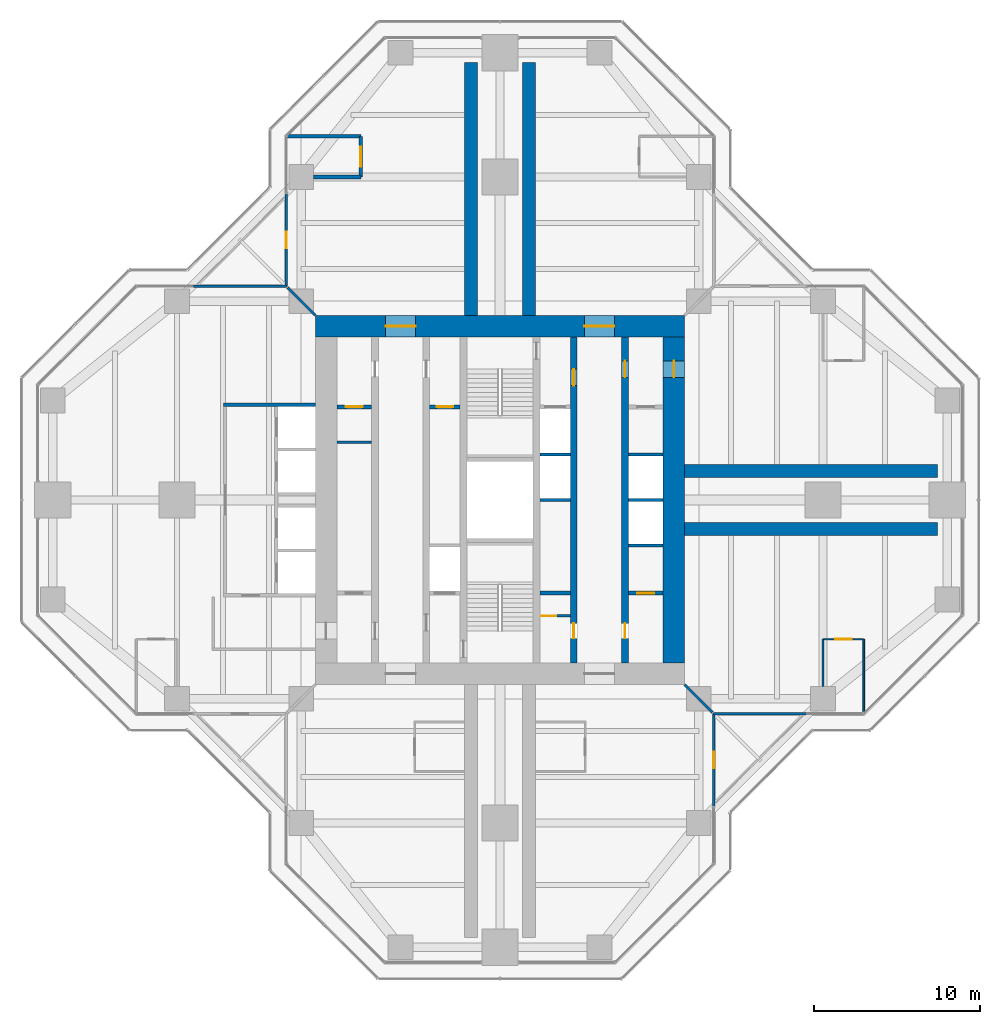
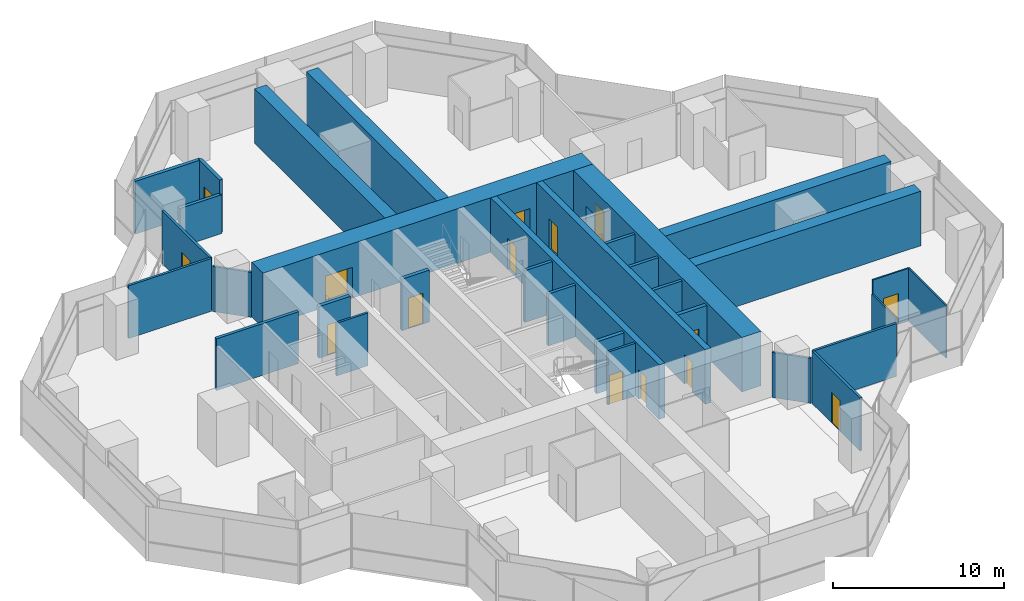
# One storey, part 14 of 17: 32 walls, 15 doors, 15 openings.
"""IFC4 building model written with IfcOpenShell, lengths in metres."""

from ifc_helpers import new_model, si_unit, direction, frame, frame_2d, origin, place, context, subcontext, project, spatial, rectangle, extrude, material, layer, layer_set, type_object, element, fill, save


model = new_model("IFC4")

# Units and contexts
model_context = context("Model", 3, precision=1e-05, world=origin(), true_north=direction((0.0, 1.0)))
body_context = subcontext(model_context, "Body", "Model", "MODEL_VIEW")
ifc_project = project(units=[si_unit("LENGTHUNIT", "METRE"), si_unit("AREAUNIT", "SQUARE_METRE"), si_unit("VOLUMEUNIT", "CUBIC_METRE"), si_unit("PLANEANGLEUNIT", "RADIAN"), si_unit("MASSUNIT", "GRAM", prefix="KILO")], contexts=[model_context])

# Site, building, storey
site_placement = place(None, origin())
site = spatial("IfcSite", under=ifc_project, at=site_placement, CompositionType="ELEMENT")
building_placement = place(site_placement, origin())
building = spatial("IfcBuilding", under=site, at=building_placement, Name="Mizan Broadcast Tower", CompositionType="ELEMENT")
storey_placement = place(building_placement, frame((0.0, 0.0, 251.699951171875)))
storey = spatial("IfcBuildingStorey", under=building, at=storey_placement, Name="L59", CompositionType="ELEMENT", Elevation=251.699951171875)

# Wall, openings, doors
ifc_material_1 = material(Name="Concrete C70/85", Category="concrete")
ifc_layer_1 = layer(ifc_material_1, 0.39990234375)
ifc_layer_set_1 = layer_set([ifc_layer_1], Name="Concrete C70/85")
wall_type_1 = type_object("IfcWallType", Name="CORE INTERNAL WALL 400", PredefinedType="SHEAR", material=ifc_layer_set_1)
wall_1_placement = place(storey_placement, frame((7.550048828125, 9.85009765625, 0.0), z_axis=(0.0, 0.0, 1.0), x_axis=(0.0, -1.0, 0.0)))
wall_1 = element("IfcWall", 1, at=wall_1_placement, inside=storey, type_object=wall_type_1, Name="Core wall CORE/XW1E", PredefinedType="SHEAR", context=body_context, shape_type="SweptSolid", body=[
    extrude(rectangle(XDim=19.7001953125, YDim=0.39990234375, at=frame_2d((9.85009765625, 0.0))), origin(), (0.0, 0.0, 1.0), 3.900146484375),
])
opening_1_placement = place(wall_1_placement, frame((1.449951171875, 0.0, 0.0)))
opening_1 = element("IfcOpeningElement", 2, at=opening_1_placement, cuts=wall_1, Name="Opening D10F", PredefinedType="OPENING", context=body_context, shape_type="SweptSolid", body=[
    extrude(rectangle(XDim=1.0, YDim=2.199951171875, at=frame_2d((0.5, 1.10009765625))), frame((0.0, 0.2099609375, 0.0), z_axis=(0.0, -1.0, 0.0), x_axis=(1.0, 0.0, 0.0)), (0.0, 0.0, 1.0), 0.419921875),
])
opening_2_placement = place(wall_1_placement, frame((17.300048828125, 0.0, 0.0)))
opening_2 = element("IfcOpeningElement", 3, at=opening_2_placement, cuts=wall_1, Name="Opening D09", PredefinedType="OPENING", context=body_context, shape_type="SweptSolid", body=[
    extrude(rectangle(XDim=0.89990234375, YDim=2.10009765625, at=frame_2d((0.449951171875, 1.050048828125))), frame((0.0, 0.2099609375, 0.0), z_axis=(0.0, -1.0, 0.0), x_axis=(1.0, 0.0, 0.0)), (0.0, 0.0, 1.0), 0.419921875),
])
ifc_material_2 = material(Name="Steel door leaf in steel frame", Category="steel")
door_type_1 = type_object("IfcDoorType", Name="FIRE DOOR 1000 FD90", OperationType="SINGLE_SWING_LEFT", PredefinedType="DOOR", material=ifc_material_2)
door_1_placement = place(opening_1_placement, origin())
door_1 = element("IfcDoor", 4, at=door_1_placement, inside=storey, type_object=door_type_1, Name="East core passage door", OperationType="SINGLE_SWING_LEFT", OverallHeight=2.199951171875, OverallWidth=1.0, PredefinedType="DOOR", context=body_context, shape_type="SweptSolid", body=[
    extrude(rectangle(XDim=1.0, YDim=2.199951171875, at=frame_2d((0.5, 1.10009765625))), frame((0.0, 0.02490234375, 0.0), z_axis=(0.0, -1.0, 0.0), x_axis=(1.0, 0.0, 0.0)), (0.0, 0.0, 1.0), 0.050048828125),
])
fill(opening_1, door_1)
ifc_material_3 = material(Name="Timber door leaf in aluminium frame", Category="wood")
door_type_2 = type_object("IfcDoorType", Name="TOILET DOOR 900", OperationType="SINGLE_SWING_LEFT", PredefinedType="DOOR", material=ifc_material_3)
door_2_placement = place(opening_2_placement, origin())
door_2 = element("IfcDoor", 5, at=door_2_placement, inside=storey, type_object=door_type_2, Name="Female WC door", OperationType="SINGLE_SWING_RIGHT", OverallHeight=2.10009765625, OverallWidth=0.89990234375, PredefinedType="DOOR", context=body_context, shape_type="SweptSolid", body=[
    extrude(rectangle(XDim=0.89990234375, YDim=2.10009765625, at=frame_2d((0.449951171875, 1.050048828125))), frame((0.0, 0.02490234375, 0.0), z_axis=(0.0, -1.0, 0.0), x_axis=(1.0, 0.0, 0.0)), (0.0, 0.0, 1.0), 0.050048828125),
])
fill(opening_2, door_2)

wall_2_placement = place(storey_placement, frame((4.449951171875, 9.85009765625, 0.0), z_axis=(0.0, 0.0, 1.0), x_axis=(0.0, -1.0, 0.0)))
wall_2 = element("IfcWall", 6, at=wall_2_placement, inside=storey, type_object=wall_type_1, Name="Core wall CORE/XWHE", PredefinedType="SHEAR", context=body_context, shape_type="SweptSolid", body=[
    extrude(rectangle(XDim=19.7001953125, YDim=0.39990234375, at=frame_2d((9.85009765625, 0.0))), origin(), (0.0, 0.0, 1.0), 3.900146484375),
])
opening_3_placement = place(wall_2_placement, frame((1.949951171875, 0.0, 0.0)))
opening_3 = element("IfcOpeningElement", 7, at=opening_3_placement, cuts=wall_2, Name="Opening D10F", PredefinedType="OPENING", context=body_context, shape_type="SweptSolid", body=[
    extrude(rectangle(XDim=1.0, YDim=2.199951171875, at=frame_2d((0.5, 1.10009765625))), frame((0.0, 0.2099609375, 0.0), z_axis=(0.0, -1.0, 0.0), x_axis=(1.0, 0.0, 0.0)), (0.0, 0.0, 1.0), 0.419921875),
])
opening_4_placement = place(wall_2_placement, frame((17.300048828125, 0.0, 0.0)))
opening_4 = element("IfcOpeningElement", 8, at=opening_4_placement, cuts=wall_2, Name="Opening D09", PredefinedType="OPENING", context=body_context, shape_type="SweptSolid", body=[
    extrude(rectangle(XDim=0.89990234375, YDim=2.10009765625, at=frame_2d((0.449951171875, 1.050048828125))), frame((0.0, 0.2099609375, 0.0), z_axis=(0.0, -1.0, 0.0), x_axis=(1.0, 0.0, 0.0)), (0.0, 0.0, 1.0), 0.419921875),
])
door_3_placement = place(opening_3_placement, origin())
door_3 = element("IfcDoor", 9, at=door_3_placement, inside=storey, type_object=door_type_1, Name="Firefighting lobby B door", OperationType="SINGLE_SWING_LEFT", OverallHeight=2.199951171875, OverallWidth=1.0, PredefinedType="DOOR", context=body_context, shape_type="SweptSolid", body=[
    extrude(rectangle(XDim=1.0, YDim=2.199951171875, at=frame_2d((0.5, 1.10009765625))), frame((0.0, 0.02490234375, 0.0), z_axis=(0.0, -1.0, 0.0), x_axis=(1.0, 0.0, 0.0)), (0.0, 0.0, 1.0), 0.050048828125),
])
fill(opening_3, door_3)
door_4_placement = place(opening_4_placement, origin())
door_4 = element("IfcDoor", 10, at=door_4_placement, inside=storey, type_object=door_type_2, Name="Cleaner's store door", OperationType="SINGLE_SWING_RIGHT", OverallHeight=2.10009765625, OverallWidth=0.89990234375, PredefinedType="DOOR", context=body_context, shape_type="SweptSolid", body=[
    extrude(rectangle(XDim=0.89990234375, YDim=2.10009765625, at=frame_2d((0.449951171875, 1.050048828125))), frame((0.0, 0.02490234375, 0.0), z_axis=(0.0, -1.0, 0.0), x_axis=(1.0, 0.0, 0.0)), (0.0, 0.0, 1.0), 0.050048828125),
])
fill(opening_4, door_4)

# Wall
ifc_material_4 = material(Name="Concrete blockwork", Category="masonry")
ifc_layer_2 = layer(ifc_material_4, 0.14990234375)
ifc_layer_set_2 = layer_set([ifc_layer_2], Name="Concrete blockwork")
wall_type_2 = type_object("IfcWallType", Name="CORE PARTITION 150", PredefinedType="SOLIDWALL", material=ifc_layer_set_2)
wall_3_placement = place(storey_placement, frame((-9.85009765625, 3.5, 0.0), z_axis=(0.0, 0.0, 1.0), x_axis=(1.0, 0.0, 0.0)))
element("IfcWall", 11, at=wall_3_placement, inside=storey, type_object=wall_type_2, Name="Core partition CORE/XP1", PredefinedType="SOLIDWALL", context=body_context, shape_type="SweptSolid", body=[
    extrude(rectangle(XDim=2.10009765625, YDim=0.14990234375, at=frame_2d((1.050048828125, 0.0))), origin(), (0.0, 0.0, 1.0), 3.77001953125),
])

# Wall, opening, door
wall_4_placement = place(storey_placement, frame((2.39990234375, -7.0, 0.0), z_axis=(0.0, 0.0, 1.0), x_axis=(1.0, 0.0, 0.0)))
wall_4 = element("IfcWall", 12, at=wall_4_placement, inside=storey, type_object=wall_type_2, Name="Core partition CORE/XPC", PredefinedType="SOLIDWALL", context=body_context, shape_type="SweptSolid", body=[
    extrude(rectangle(XDim=1.85009765625, YDim=0.14990234375, at=frame_2d((0.925048828125, 0.0))), origin(), (0.0, 0.0, 1.0), 3.77001953125),
])
opening_5_placement = place(wall_4_placement, frame((0.10009765625, 0.0, 0.0)))
opening_5 = element("IfcOpeningElement", 13, at=opening_5_placement, cuts=wall_4, Name="Opening D09F", PredefinedType="OPENING", context=body_context, shape_type="SweptSolid", body=[
    extrude(rectangle(XDim=0.89990234375, YDim=2.10009765625, at=frame_2d((0.449951171875, 1.050048828125))), frame((0.0, 0.0849609375, 0.0), z_axis=(0.0, -1.0, 0.0), x_axis=(1.0, 0.0, 0.0)), (0.0, 0.0, 1.0), 0.169921875),
])
ifc_material_5 = material(Name="Steel door leaf in steel frame", Category="steel")
door_type_3 = type_object("IfcDoorType", Name="CORE ROOM DOOR 900 FD90", OperationType="SINGLE_SWING_LEFT", PredefinedType="DOOR", material=ifc_material_5)
door_5_placement = place(opening_5_placement, origin())
door_5 = element("IfcDoor", 14, at=door_5_placement, inside=storey, type_object=door_type_3, Name="Waste store door", OperationType="SINGLE_SWING_LEFT", OverallHeight=2.10009765625, OverallWidth=0.89990234375, PredefinedType="DOOR", context=body_context, shape_type="SweptSolid", body=[
    extrude(rectangle(XDim=0.89990234375, YDim=2.10009765625, at=frame_2d((0.449951171875, 1.050048828125))), frame((0.0, 0.02490234375, 0.0), z_axis=(0.0, -1.0, 0.0), x_axis=(1.0, 0.0, 0.0)), (0.0, 0.0, 1.0), 0.050048828125),
])
fill(opening_5, door_5)

# Wall, openings, doors
ifc_material_6 = material(Name="Concrete C70/85", Category="concrete")
ifc_layer_3 = layer(ifc_material_6, 1.300048828125)
ifc_layer_set_3 = layer_set([ifc_layer_3], Name="Concrete C70/85")
wall_type_3 = type_object("IfcWallType", Name="CORE WALL 1300", PredefinedType="SHEAR", material=ifc_layer_set_3)
wall_5_placement = place(storey_placement, frame((-11.14990234375, 10.5, 0.0), z_axis=(0.0, 0.0, 1.0), x_axis=(1.0, 0.0, 0.0)))
wall_5 = element("IfcWall", 15, at=wall_5_placement, inside=storey, type_object=wall_type_3, Name="Core wall N L59", PredefinedType="SHEAR", context=body_context, shape_type="SweptSolid", body=[
    extrude(rectangle(XDim=22.2998046875, YDim=1.300048828125, at=frame_2d((11.14990234375, 0.0))), origin(), (0.0, 0.0, 1.0), 3.900146484375),
])
opening_6_placement = place(wall_5_placement, frame((4.25, 0.0, 0.0)))
opening_6 = element("IfcOpeningElement", 16, at=opening_6_placement, cuts=wall_5, Name="Opening D18F", PredefinedType="OPENING", context=body_context, shape_type="SweptSolid", body=[
    extrude(rectangle(XDim=1.800048828125, YDim=2.199951171875, at=frame_2d((0.89990234375, 1.10009765625))), frame((0.0, 0.659912109375, 0.0), z_axis=(0.0, -1.0, 0.0), x_axis=(1.0, 0.0, 0.0)), (0.0, 0.0, 1.0), 1.320068359375),
])
opening_7_placement = place(wall_5_placement, frame((16.25, 0.0, 0.0)))
opening_7 = element("IfcOpeningElement", 17, at=opening_7_placement, cuts=wall_5, Name="Opening D18F", PredefinedType="OPENING", context=body_context, shape_type="SweptSolid", body=[
    extrude(rectangle(XDim=1.800048828125, YDim=2.199951171875, at=frame_2d((0.89990234375, 1.10009765625))), frame((0.0, 0.659912109375, 0.0), z_axis=(0.0, -1.0, 0.0), x_axis=(1.0, 0.0, 0.0)), (0.0, 0.0, 1.0), 1.320068359375),
])
ifc_material_7 = material(Name="Steel door leaf in steel frame", Category="steel")
door_type_4 = type_object("IfcDoorType", Name="LOBBY DOUBLE DOOR 1800 FD90", OperationType="DOUBLE_DOOR_DOUBLE_SWING", PredefinedType="DOOR", material=ifc_material_7)
door_6_placement = place(opening_6_placement, origin())
door_6 = element("IfcDoor", 18, at=door_6_placement, inside=storey, type_object=door_type_4, Name="West lift lobby north door", OperationType="DOUBLE_DOOR_DOUBLE_SWING", OverallHeight=2.199951171875, OverallWidth=1.800048828125, PredefinedType="DOOR", context=body_context, shape_type="SweptSolid", body=[
    extrude(rectangle(XDim=1.800048828125, YDim=2.199951171875, at=frame_2d((0.89990234375, 1.10009765625))), frame((0.0, 0.02490234375, 0.0), z_axis=(0.0, -1.0, 0.0), x_axis=(1.0, 0.0, 0.0)), (0.0, 0.0, 1.0), 0.050048828125),
])
fill(opening_6, door_6)
door_7_placement = place(opening_7_placement, origin())
door_7 = element("IfcDoor", 19, at=door_7_placement, inside=storey, type_object=door_type_4, Name="East lift lobby north door", OperationType="DOUBLE_DOOR_DOUBLE_SWING", OverallHeight=2.199951171875, OverallWidth=1.800048828125, PredefinedType="DOOR", context=body_context, shape_type="SweptSolid", body=[
    extrude(rectangle(XDim=1.800048828125, YDim=2.199951171875, at=frame_2d((0.89990234375, 1.10009765625))), frame((0.0, 0.02490234375, 0.0), z_axis=(0.0, -1.0, 0.0), x_axis=(1.0, 0.0, 0.0)), (0.0, 0.0, 1.0), 0.050048828125),
])
fill(opening_7, door_7)

# Wall, opening, door
wall_6_placement = place(storey_placement, frame((10.5, -9.85009765625, 0.0), z_axis=(0.0, 0.0, 1.0), x_axis=(0.0, 1.0, 0.0)))
wall_6 = element("IfcWall", 20, at=wall_6_placement, inside=storey, type_object=wall_type_3, Name="Core wall E L59", PredefinedType="SHEAR", context=body_context, shape_type="SweptSolid", body=[
    extrude(rectangle(XDim=19.7001953125, YDim=1.300048828125, at=frame_2d((9.85009765625, 0.0))), origin(), (0.0, 0.0, 1.0), 3.900146484375),
])
opening_8_placement = place(wall_6_placement, frame((17.25, 0.0, 0.0)))
opening_8 = element("IfcOpeningElement", 21, at=opening_8_placement, cuts=wall_6, Name="Opening D10F", PredefinedType="OPENING", context=body_context, shape_type="SweptSolid", body=[
    extrude(rectangle(XDim=1.0, YDim=2.199951171875, at=frame_2d((0.5, 1.10009765625))), frame((0.0, 0.659912109375, 0.0), z_axis=(0.0, -1.0, 0.0), x_axis=(1.0, 0.0, 0.0)), (0.0, 0.0, 1.0), 1.320068359375),
])
door_8_placement = place(opening_8_placement, origin())
door_8 = element("IfcDoor", 22, at=door_8_placement, inside=storey, type_object=door_type_1, Name="East core passage arm door", OperationType="SINGLE_SWING_RIGHT", OverallHeight=2.199951171875, OverallWidth=1.0, PredefinedType="DOOR", context=body_context, shape_type="SweptSolid", body=[
    extrude(rectangle(XDim=1.0, YDim=2.199951171875, at=frame_2d((0.5, 1.10009765625))), frame((0.0, 0.02490234375, 0.0), z_axis=(0.0, -1.0, 0.0), x_axis=(1.0, 0.0, 0.0)), (0.0, 0.0, 1.0), 0.050048828125),
])
fill(opening_8, door_8)

# Wall
ifc_material_8 = material(Name="Aluminium framed glazed screen", Category="aluminium")
ifc_layer_4 = layer(ifc_material_8, 0.159912109375)
ifc_layer_set_4 = layer_set([ifc_layer_4], Name="Aluminium framed glazed screen")
wall_type_4 = type_object("IfcWallType", Name="GLAZED SCREEN WALL 160", PredefinedType="SOLIDWALL", material=ifc_layer_set_4)
wall_7_placement = place(storey_placement, frame((12.89990234375, -12.89990234375, 0.0), z_axis=(0.0, 0.0, 1.0), x_axis=(1.0, 0.0, 0.0)))
element("IfcWall", 23, at=wall_7_placement, inside=storey, type_object=wall_type_4, Name="Winter garden screen L59 E", PredefinedType="SOLIDWALL", context=body_context, shape_type="SweptSolid", body=[
    extrude(rectangle(XDim=5.60009765625, YDim=0.159912109375, at=frame_2d((2.800048828125, 0.0))), origin(), (0.0, 0.0, 1.0), 3.77001953125),
])

# Wall, opening, door
wall_8_placement = place(storey_placement, frame((-12.89990234375, 18.5, 0.0), z_axis=(0.0, 0.0, 1.0), x_axis=(0.0, -1.0, 0.0)))
wall_8 = element("IfcWall", 24, at=wall_8_placement, inside=storey, type_object=wall_type_4, Name="Winter garden screen L59 N", PredefinedType="SOLIDWALL", context=body_context, shape_type="SweptSolid", body=[
    extrude(rectangle(XDim=5.60009765625, YDim=0.159912109375, at=frame_2d((2.800048828125, 0.0))), origin(), (0.0, 0.0, 1.0), 3.77001953125),
])
opening_9_placement = place(wall_8_placement, frame((2.300048828125, 0.0, 0.0)))
opening_9 = element("IfcOpeningElement", 25, at=opening_9_placement, cuts=wall_8, Name="Opening WGD", PredefinedType="OPENING", context=body_context, shape_type="SweptSolid", body=[
    extrude(rectangle(XDim=1.0, YDim=2.199951171875, at=frame_2d((0.5, 1.10009765625))), frame((0.0, 0.08984375, 0.0), z_axis=(0.0, -1.0, 0.0), x_axis=(1.0, 0.0, 0.0)), (0.0, 0.0, 1.0), 0.179931640625),
])
ifc_material_9 = material(Name="Aluminium framed glazed door", Category="aluminium")
door_type_5 = type_object("IfcDoorType", Name="WINTER GARDEN DOOR 1000 GLAZED", OperationType="SINGLE_SWING_LEFT", PredefinedType="DOOR", material=ifc_material_9)
door_9_placement = place(opening_9_placement, origin())
door_9 = element("IfcDoor", 26, at=door_9_placement, inside=storey, type_object=door_type_5, Name="Winter garden door L59 N", OperationType="SINGLE_SWING_RIGHT", OverallHeight=2.199951171875, OverallWidth=1.0, PredefinedType="DOOR", context=body_context, shape_type="SweptSolid", body=[
    extrude(rectangle(XDim=1.0, YDim=2.199951171875, at=frame_2d((0.5, 1.10009765625))), frame((0.0, 0.02490234375, 0.0), z_axis=(0.0, -1.0, 0.0), x_axis=(1.0, 0.0, 0.0)), (0.0, 0.0, 1.0), 0.050048828125),
])
fill(opening_9, door_9)

# Wall
wall_9_placement = place(storey_placement, frame((-12.89990234375, 12.89990234375, 0.0), z_axis=(0.0, 0.0, 1.0), x_axis=(-1.0, 0.0, 0.0)))
element("IfcWall", 27, at=wall_9_placement, inside=storey, type_object=wall_type_4, Name="Winter garden screen L59 W", PredefinedType="SOLIDWALL", context=body_context, shape_type="SweptSolid", body=[
    extrude(rectangle(XDim=5.60009765625, YDim=0.159912109375, at=frame_2d((2.800048828125, 0.0))), origin(), (0.0, 0.0, 1.0), 3.77001953125),
])

# Wall, opening, door
wall_10_placement = place(storey_placement, frame((12.89990234375, -18.5, 0.0), z_axis=(0.0, 0.0, 1.0), x_axis=(0.0, 1.0, 0.0)))
wall_10 = element("IfcWall", 28, at=wall_10_placement, inside=storey, type_object=wall_type_4, Name="Winter garden screen L59 S", PredefinedType="SOLIDWALL", context=body_context, shape_type="SweptSolid", body=[
    extrude(rectangle(XDim=5.60009765625, YDim=0.159912109375, at=frame_2d((2.800048828125, 0.0))), origin(), (0.0, 0.0, 1.0), 3.77001953125),
])
opening_10_placement = place(wall_10_placement, frame((2.300048828125, 0.0, 0.0)))
opening_10 = element("IfcOpeningElement", 29, at=opening_10_placement, cuts=wall_10, Name="Opening WGD", PredefinedType="OPENING", context=body_context, shape_type="SweptSolid", body=[
    extrude(rectangle(XDim=1.0, YDim=2.199951171875, at=frame_2d((0.5, 1.10009765625))), frame((0.0, 0.08984375, 0.0), z_axis=(0.0, -1.0, 0.0), x_axis=(1.0, 0.0, 0.0)), (0.0, 0.0, 1.0), 0.179931640625),
])
door_10_placement = place(opening_10_placement, origin())
door_10 = element("IfcDoor", 30, at=door_10_placement, inside=storey, type_object=door_type_5, Name="Winter garden door L59 S", OperationType="SINGLE_SWING_RIGHT", OverallHeight=2.199951171875, OverallWidth=1.0, PredefinedType="DOOR", context=body_context, shape_type="SweptSolid", body=[
    extrude(rectangle(XDim=1.0, YDim=2.199951171875, at=frame_2d((0.5, 1.10009765625))), frame((0.0, 0.02490234375, 0.0), z_axis=(0.0, -1.0, 0.0), x_axis=(1.0, 0.0, 0.0)), (0.0, 0.0, 1.0), 0.050048828125),
])
fill(opening_10, door_10)

# Walls
ifc_material_10 = material(Name="Concrete blockwork", Category="masonry")
ifc_layer_5 = layer(ifc_material_10, 0.199951171875)
ifc_layer_set_5 = layer_set([ifc_layer_5], Name="Concrete blockwork")
wall_type_5 = type_object("IfcWallType", Name="LIFT SHAFT WALL 200", PredefinedType="SOLIDWALL", material=ifc_layer_set_5)
wall_11_placement = place(storey_placement, frame((7.75, -2.75, 0.0), z_axis=(0.0, 0.0, 1.0), x_axis=(1.0, 0.0, 0.0)))
element("IfcWall", 31, at=wall_11_placement, inside=storey, type_object=wall_type_5, Name="Lift shaft wall CORE/SE1-1", PredefinedType="SOLIDWALL", context=body_context, shape_type="SweptSolid", body=[
    extrude(rectangle(XDim=2.10009765625, YDim=0.199951171875, at=frame_2d((1.050048828125, 0.0))), origin(), (0.0, 0.0, 1.0), 3.699951171875),
])
wall_12_placement = place(storey_placement, frame((2.39990234375, 0.0, 0.0), z_axis=(0.0, 0.0, 1.0), x_axis=(1.0, 0.0, 0.0)))
element("IfcWall", 32, at=wall_12_placement, inside=storey, type_object=wall_type_5, Name="Lift shaft wall CORE/SE2-2", PredefinedType="SOLIDWALL", context=body_context, shape_type="SweptSolid", body=[
    extrude(rectangle(XDim=1.85009765625, YDim=0.199951171875, at=frame_2d((0.925048828125, 0.0))), origin(), (0.0, 0.0, 1.0), 3.699951171875),
])
wall_13_placement = place(storey_placement, frame((7.75, 0.0, 0.0), z_axis=(0.0, 0.0, 1.0), x_axis=(1.0, 0.0, 0.0)))
element("IfcWall", 33, at=wall_13_placement, inside=storey, type_object=wall_type_5, Name="Lift shaft wall CORE/SE1-2", PredefinedType="SOLIDWALL", context=body_context, shape_type="SweptSolid", body=[
    extrude(rectangle(XDim=2.10009765625, YDim=0.199951171875, at=frame_2d((1.050048828125, 0.0))), origin(), (0.0, 0.0, 1.0), 3.699951171875),
])
wall_14_placement = place(storey_placement, frame((2.39990234375, 2.75, 0.0), z_axis=(0.0, 0.0, 1.0), x_axis=(1.0, 0.0, 0.0)))
element("IfcWall", 34, at=wall_14_placement, inside=storey, type_object=wall_type_5, Name="Lift shaft wall CORE/SE2-3", PredefinedType="SOLIDWALL", context=body_context, shape_type="SweptSolid", body=[
    extrude(rectangle(XDim=1.85009765625, YDim=0.199951171875, at=frame_2d((0.925048828125, 0.0))), origin(), (0.0, 0.0, 1.0), 3.699951171875),
])
wall_15_placement = place(storey_placement, frame((7.75, 2.75, 0.0), z_axis=(0.0, 0.0, 1.0), x_axis=(1.0, 0.0, 0.0)))
element("IfcWall", 35, at=wall_15_placement, inside=storey, type_object=wall_type_5, Name="Lift shaft wall CORE/SE1-3", PredefinedType="SOLIDWALL", context=body_context, shape_type="SweptSolid", body=[
    extrude(rectangle(XDim=2.10009765625, YDim=0.199951171875, at=frame_2d((1.050048828125, 0.0))), origin(), (0.0, 0.0, 1.0), 3.699951171875),
])
wall_16_placement = place(storey_placement, frame((-11.14990234375, 5.75, 0.0), z_axis=(0.0, 0.0, 1.0), x_axis=(-1.0, 0.0, 0.0)))
element("IfcWall", 36, at=wall_16_placement, inside=storey, type_object=wall_type_5, Name="Lift shaft wall LC/S1", PredefinedType="SOLIDWALL", context=body_context, shape_type="SweptSolid", body=[
    extrude(rectangle(XDim=5.550048828125, YDim=0.199951171875, at=frame_2d((2.77490234375, 0.0))), origin(), (0.0, 0.0, 1.0), 3.699951171875),
])

# Wall, opening, door
ifc_material_11 = material(Name="Concrete blockwork", Category="masonry")
ifc_layer_6 = layer(ifc_material_11, 0.25)
ifc_layer_set_6 = layer_set([ifc_layer_6], Name="Concrete blockwork")
wall_type_6 = type_object("IfcWallType", Name="LOBBY ENCLOSURE WALL 250", PredefinedType="SOLIDWALL", material=ifc_layer_set_6)
wall_17_placement = place(storey_placement, frame((-9.85009765625, 5.625, 0.0), z_axis=(0.0, 0.0, 1.0), x_axis=(1.0, 0.0, 0.0)))
wall_17 = element("IfcWall", 37, at=wall_17_placement, inside=storey, type_object=wall_type_6, Name="Lobby enclosure wall CORE/BW1N", PredefinedType="SOLIDWALL", context=body_context, shape_type="SweptSolid", body=[
    extrude(rectangle(XDim=2.10009765625, YDim=0.25, at=frame_2d((1.050048828125, 0.0))), origin(), (0.0, 0.0, 1.0), 3.699951171875),
])
opening_11_placement = place(wall_17_placement, frame((0.550048828125, 0.0, 0.0)))
opening_11 = element("IfcOpeningElement", 38, at=opening_11_placement, cuts=wall_17, Name="Opening D10F", PredefinedType="OPENING", context=body_context, shape_type="SweptSolid", body=[
    extrude(rectangle(XDim=1.0, YDim=2.199951171875, at=frame_2d((0.5, 1.10009765625))), frame((0.0, 0.135009765625, 0.0), z_axis=(0.0, -1.0, 0.0), x_axis=(1.0, 0.0, 0.0)), (0.0, 0.0, 1.0), 0.27001953125),
])
door_11_placement = place(opening_11_placement, origin())
door_11 = element("IfcDoor", 39, at=door_11_placement, inside=storey, type_object=door_type_1, Name="Male staff shower room door", OperationType="SINGLE_SWING_RIGHT", OverallHeight=2.199951171875, OverallWidth=1.0, PredefinedType="DOOR", context=body_context, shape_type="SweptSolid", body=[
    extrude(rectangle(XDim=1.0, YDim=2.199951171875, at=frame_2d((0.5, 1.10009765625))), frame((0.0, 0.02490234375, 0.0), z_axis=(0.0, -1.0, 0.0), x_axis=(1.0, 0.0, 0.0)), (0.0, 0.0, 1.0), 0.050048828125),
])
fill(opening_11, door_11)

wall_18_placement = place(storey_placement, frame((-4.25, 5.625, 0.0), z_axis=(0.0, 0.0, 1.0), x_axis=(1.0, 0.0, 0.0)))
wall_18 = element("IfcWall", 40, at=wall_18_placement, inside=storey, type_object=wall_type_6, Name="Lobby enclosure wall CORE/BW2N", PredefinedType="SOLIDWALL", context=body_context, shape_type="SweptSolid", body=[
    extrude(rectangle(XDim=1.85009765625, YDim=0.25, at=frame_2d((0.925048828125, 0.0))), origin(), (0.0, 0.0, 1.0), 3.699951171875),
])
opening_12_placement = place(wall_18_placement, frame((0.425048828125, 0.0, 0.0)))
opening_12 = element("IfcOpeningElement", 41, at=opening_12_placement, cuts=wall_18, Name="Opening D10F", PredefinedType="OPENING", context=body_context, shape_type="SweptSolid", body=[
    extrude(rectangle(XDim=1.0, YDim=2.199951171875, at=frame_2d((0.5, 1.10009765625))), frame((0.0, 0.135009765625, 0.0), z_axis=(0.0, -1.0, 0.0), x_axis=(1.0, 0.0, 0.0)), (0.0, 0.0, 1.0), 0.27001953125),
])
door_12_placement = place(opening_12_placement, origin())
door_12 = element("IfcDoor", 42, at=door_12_placement, inside=storey, type_object=door_type_1, Name="Accessible shower room door", OperationType="SINGLE_SWING_RIGHT", OverallHeight=2.199951171875, OverallWidth=1.0, PredefinedType="DOOR", context=body_context, shape_type="SweptSolid", body=[
    extrude(rectangle(XDim=1.0, YDim=2.199951171875, at=frame_2d((0.5, 1.10009765625))), frame((0.0, 0.02490234375, 0.0), z_axis=(0.0, -1.0, 0.0), x_axis=(1.0, 0.0, 0.0)), (0.0, 0.0, 1.0), 0.050048828125),
])
fill(opening_12, door_12)

# Wall
wall_19_placement = place(storey_placement, frame((2.39990234375, -5.625, 0.0), z_axis=(0.0, 0.0, 1.0), x_axis=(1.0, 0.0, 0.0)))
element("IfcWall", 43, at=wall_19_placement, inside=storey, type_object=wall_type_6, Name="Lobby enclosure wall CORE/BE2S", PredefinedType="SOLIDWALL", context=body_context, shape_type="SweptSolid", body=[
    extrude(rectangle(XDim=1.85009765625, YDim=0.25, at=frame_2d((0.925048828125, 0.0))), origin(), (0.0, 0.0, 1.0), 3.699951171875),
])

# Wall, opening, door
wall_20_placement = place(storey_placement, frame((7.75, -5.625, 0.0), z_axis=(0.0, 0.0, 1.0), x_axis=(1.0, 0.0, 0.0)))
wall_20 = element("IfcWall", 44, at=wall_20_placement, inside=storey, type_object=wall_type_6, Name="Lobby enclosure wall CORE/BE1S", PredefinedType="SOLIDWALL", context=body_context, shape_type="SweptSolid", body=[
    extrude(rectangle(XDim=2.10009765625, YDim=0.25, at=frame_2d((1.050048828125, 0.0))), origin(), (0.0, 0.0, 1.0), 3.699951171875),
])
opening_13_placement = place(wall_20_placement, frame((0.550048828125, 0.0, 0.0)))
opening_13 = element("IfcOpeningElement", 45, at=opening_13_placement, cuts=wall_20, Name="Opening D10F", PredefinedType="OPENING", context=body_context, shape_type="SweptSolid", body=[
    extrude(rectangle(XDim=1.0, YDim=2.199951171875, at=frame_2d((0.5, 1.10009765625))), frame((0.0, 0.135009765625, 0.0), z_axis=(0.0, -1.0, 0.0), x_axis=(1.0, 0.0, 0.0)), (0.0, 0.0, 1.0), 0.27001953125),
])
door_13_placement = place(opening_13_placement, origin())
door_13 = element("IfcDoor", 46, at=door_13_placement, inside=storey, type_object=door_type_1, Name="Female staff shower room door", OperationType="SINGLE_SWING_LEFT", OverallHeight=2.199951171875, OverallWidth=1.0, PredefinedType="DOOR", context=body_context, shape_type="SweptSolid", body=[
    extrude(rectangle(XDim=1.0, YDim=2.199951171875, at=frame_2d((0.5, 1.10009765625))), frame((0.0, 0.02490234375, 0.0), z_axis=(0.0, -1.0, 0.0), x_axis=(1.0, 0.0, 0.0)), (0.0, 0.0, 1.0), 0.050048828125),
])
fill(opening_13, door_13)

# Walls
ifc_material_12 = material(Name="Gypsum board on steel studs", Category="steel")
ifc_layer_7 = layer(ifc_material_12, 0.14990234375)
ifc_layer_set_7 = layer_set([ifc_layer_7], Name="Gypsum board on steel studs")
wall_type_7 = type_object("IfcWallType", Name="PARTITION 150", PredefinedType="PARTITIONING", material=ifc_layer_set_7)
for number, where, z_axis, x_axis, name in (
    (47, (-11.14990234375, 11.14990234375, 0.0), (0.0, 0.0, 1.0), (-0.707106781187, 0.707106781187, 0.0), "Partition PT/DGWN"),
    (48, (11.14990234375, -11.14990234375, 0.0), (0.0, 0.0, 1.0), (0.707106781187, -0.707106781187, 0.0), "Partition PT/DGES"),
):
    element("IfcWall", number, at=place(storey_placement, frame(where, z_axis=z_axis, x_axis=x_axis)), inside=storey, type_object=wall_type_7, Name=name, PredefinedType="PARTITIONING", context=body_context, shape_type="SweptSolid", body=[
        extrude(rectangle(XDim=2.362060546875, YDim=0.14990234375, at=frame_2d((1.18115234375, 0.0))), origin(), (0.0, 0.0, 1.0), 3.219970703125),
    ])

# Wall, opening, door
ifc_material_13 = material(Name="Twin steel stud acoustic partition, four layers of gypsum board", Category="steel")
ifc_layer_8 = layer(ifc_material_13, 0.22509765625)
ifc_layer_set_8 = layer_set([ifc_layer_8], Name="Twin steel stud acoustic partition, four layers of gypsum board")
wall_type_8 = type_object("IfcWallType", Name="PARTITION ACOUSTIC 225", PredefinedType="PARTITIONING", material=ifc_layer_set_8)
wall_21_placement = place(storey_placement, frame((-8.39990234375, 19.5, 0.0), z_axis=(0.0, 0.0, 1.0), x_axis=(0.0, 1.0, 0.0)))
wall_21 = element("IfcWall", 49, at=wall_21_placement, inside=storey, type_object=wall_type_8, Name="Acoustic partition PT/NCP0", PredefinedType="PARTITIONING", context=body_context, shape_type="SweptSolid", body=[
    extrude(rectangle(XDim=2.458984375, YDim=0.22509765625, at=frame_2d((1.2294921875, 0.0))), origin(), (0.0, 0.0, 1.0), 3.77001953125),
])
opening_14_placement = place(wall_21_placement, frame((0.62939453125, 0.0, 0.0)))
opening_14 = element("IfcOpeningElement", 50, at=opening_14_placement, cuts=wall_21, Name="Opening D12A", PredefinedType="OPENING", context=body_context, shape_type="SweptSolid", body=[
    extrude(rectangle(XDim=1.199951171875, YDim=2.199951171875, at=frame_2d((0.60009765625, 1.10009765625))), frame((0.0, 0.12255859375, 0.0), z_axis=(0.0, -1.0, 0.0), x_axis=(1.0, 0.0, 0.0)), (0.0, 0.0, 1.0), 0.2451171875),
])
ifc_material_14 = material(Name="Timber door leaf in aluminium frame", Category="wood")
door_type_6 = type_object("IfcDoorType", Name="ACOUSTIC DOOR 1200", OperationType="SINGLE_SWING_LEFT", PredefinedType="DOOR", material=ifc_material_14)
door_14_placement = place(opening_14_placement, origin())
door_14 = element("IfcDoor", 51, at=door_14_placement, inside=storey, type_object=door_type_6, Name="Edit suite door", OperationType="SINGLE_SWING_LEFT", OverallHeight=2.199951171875, OverallWidth=1.199951171875, PredefinedType="DOOR", context=body_context, shape_type="SweptSolid", body=[
    extrude(rectangle(XDim=1.199951171875, YDim=2.199951171875, at=frame_2d((0.60009765625, 1.10009765625))), frame((0.0, 0.02490234375, 0.0), z_axis=(0.0, -1.0, 0.0), x_axis=(1.0, 0.0, 0.0)), (0.0, 0.0, 1.0), 0.050048828125),
])
fill(opening_14, door_14)

# Walls
wall_22_placement = place(storey_placement, frame((-8.39990234375, 19.5, 0.0), z_axis=(0.0, 0.0, 1.0), x_axis=(-1.0, 0.0, 0.0)))
element("IfcWall", 52, at=wall_22_placement, inside=storey, type_object=wall_type_8, Name="Acoustic partition PT/NQP1950", PredefinedType="PARTITIONING", context=body_context, shape_type="SweptSolid", body=[
    extrude(rectangle(XDim=2.85009765625, YDim=0.22509765625, at=frame_2d((1.425048828125, 0.0))), origin(), (0.0, 0.0, 1.0), 2.77001953125),
])
wall_23_placement = place(storey_placement, frame((-8.39990234375, 21.958984375, 0.0), z_axis=(0.0, 0.0, 1.0), x_axis=(-1.0, 0.0, 0.0)))
element("IfcWall", 53, at=wall_23_placement, inside=storey, type_object=wall_type_8, Name="Acoustic partition PT/NQP2196", PredefinedType="PARTITIONING", context=body_context, shape_type="SweptSolid", body=[
    extrude(rectangle(XDim=4.420166015625, YDim=0.22509765625, at=frame_2d((2.2099609375, 0.0))), origin(), (0.0, 0.0, 1.0), 3.77001953125),
])

# Wall, opening, door
ifc_material_15 = material(Name="Glazed aluminium partition on aluminium track", Category="aluminium")
ifc_layer_9 = layer(ifc_material_15, 0.10009765625)
ifc_layer_set_9 = layer_set([ifc_layer_9], Name="Glazed aluminium partition on aluminium track")
wall_type_9 = type_object("IfcWallType", Name="PARTITION GLAZED OFFICE FRONT 100", PredefinedType="PARTITIONING", material=ifc_layer_set_9)
wall_24_placement = place(storey_placement, frame((19.5, -8.39990234375, 0.0), z_axis=(0.0, 0.0, 1.0), x_axis=(1.0, 0.0, 0.0)))
wall_24 = element("IfcWall", 54, at=wall_24_placement, inside=storey, type_object=wall_type_9, Name="Glazed office front PT/ECN0", PredefinedType="PARTITIONING", context=body_context, shape_type="SweptSolid", body=[
    extrude(rectangle(XDim=2.458984375, YDim=0.10009765625, at=frame_2d((1.2294921875, 0.0))), origin(), (0.0, 0.0, 1.0), 3.77001953125),
])
opening_15_placement = place(wall_24_placement, frame((0.7294921875, 0.0, 0.0)))
opening_15 = element("IfcOpeningElement", 55, at=opening_15_placement, cuts=wall_24, Name="Opening D10O", PredefinedType="OPENING", context=body_context, shape_type="SweptSolid", body=[
    extrude(rectangle(XDim=1.0, YDim=2.199951171875, at=frame_2d((0.5, 1.10009765625))), frame((0.0, 0.06005859375, 0.0), z_axis=(0.0, -1.0, 0.0), x_axis=(1.0, 0.0, 0.0)), (0.0, 0.0, 1.0), 0.1201171875),
])
ifc_material_16 = material(Name="Timber door leaf in aluminium frame", Category="wood")
door_type_7 = type_object("IfcDoorType", Name="OFFICE DOOR 1000 GLAZED", OperationType="SINGLE_SWING_LEFT", PredefinedType="DOOR", material=ifc_material_16)
door_15_placement = place(opening_15_placement, origin())
door_15 = element("IfcDoor", 56, at=door_15_placement, inside=storey, type_object=door_type_7, Name="Script office door", OperationType="SINGLE_SWING_LEFT", OverallHeight=2.199951171875, OverallWidth=1.0, PredefinedType="DOOR", context=body_context, shape_type="SweptSolid", body=[
    extrude(rectangle(XDim=1.0, YDim=2.199951171875, at=frame_2d((0.5, 1.10009765625))), frame((0.0, 0.02490234375, 0.0), z_axis=(0.0, -1.0, 0.0), x_axis=(1.0, 0.0, 0.0)), (0.0, 0.0, 1.0), 0.050048828125),
])
fill(opening_15, door_15)

# Walls
wall_25_placement = place(storey_placement, frame((19.5, -8.39990234375, 0.0), z_axis=(0.0, 0.0, 1.0), x_axis=(0.0, -1.0, 0.0)))
element("IfcWall", 57, at=wall_25_placement, inside=storey, type_object=wall_type_9, Name="Glazed office front PT/EQN1950", PredefinedType="PARTITIONING", context=body_context, shape_type="SweptSolid", body=[
    extrude(rectangle(XDim=2.85009765625, YDim=0.10009765625, at=frame_2d((1.425048828125, 0.0))), origin(), (0.0, 0.0, 1.0), 2.77001953125),
])
wall_26_placement = place(storey_placement, frame((21.958984375, -8.39990234375, 0.0), z_axis=(0.0, 0.0, 1.0), x_axis=(0.0, -1.0, 0.0)))
element("IfcWall", 58, at=wall_26_placement, inside=storey, type_object=wall_type_9, Name="Glazed office front PT/EQN2196", PredefinedType="PARTITIONING", context=body_context, shape_type="SweptSolid", body=[
    extrude(rectangle(XDim=4.420166015625, YDim=0.10009765625, at=frame_2d((2.2099609375, 0.0))), origin(), (0.0, 0.0, 1.0), 3.77001953125),
])
ifc_material_17 = material(Name="Concrete C70/85", Category="concrete")
ifc_layer_10 = layer(ifc_material_17, 0.800048828125)
ifc_layer_set_10 = layer_set([ifc_layer_10], Name="Concrete C70/85")
wall_type_10 = type_object("IfcWallType", Name="SPINE WALL 800", PredefinedType="SHEAR", material=ifc_layer_set_10)
for number, where, z_axis, x_axis, name in (
    (59, (11.14990234375, -1.75, 0.0), (0.0, 0.0, 1.0), (1.0, 0.0, 0.0), "Spine wall ER L59"),
    (60, (11.14990234375, 1.75, 0.0), (0.0, 0.0, 1.0), (1.0, 0.0, 0.0), "Spine wall EL L59"),
    (61, (1.75, 11.14990234375, 0.0), (0.0, 0.0, 1.0), (0.0, 1.0, 0.0), "Spine wall NR L59"),
    (62, (-1.75, 11.14990234375, 0.0), (0.0, 0.0, 1.0), (0.0, 1.0, 0.0), "Spine wall NL L59"),
):
    element("IfcWall", number, at=place(storey_placement, frame(where, z_axis=z_axis, x_axis=x_axis)), inside=storey, type_object=wall_type_10, Name=name, PredefinedType="SHEAR", context=body_context, shape_type="SweptSolid", body=[
        extrude(rectangle(XDim=15.25, YDim=0.800048828125, at=frame_2d((7.625, 0.0))), origin(), (0.0, 0.0, 1.0), 3.900146484375),
    ])

save(model, "model.ifc")
